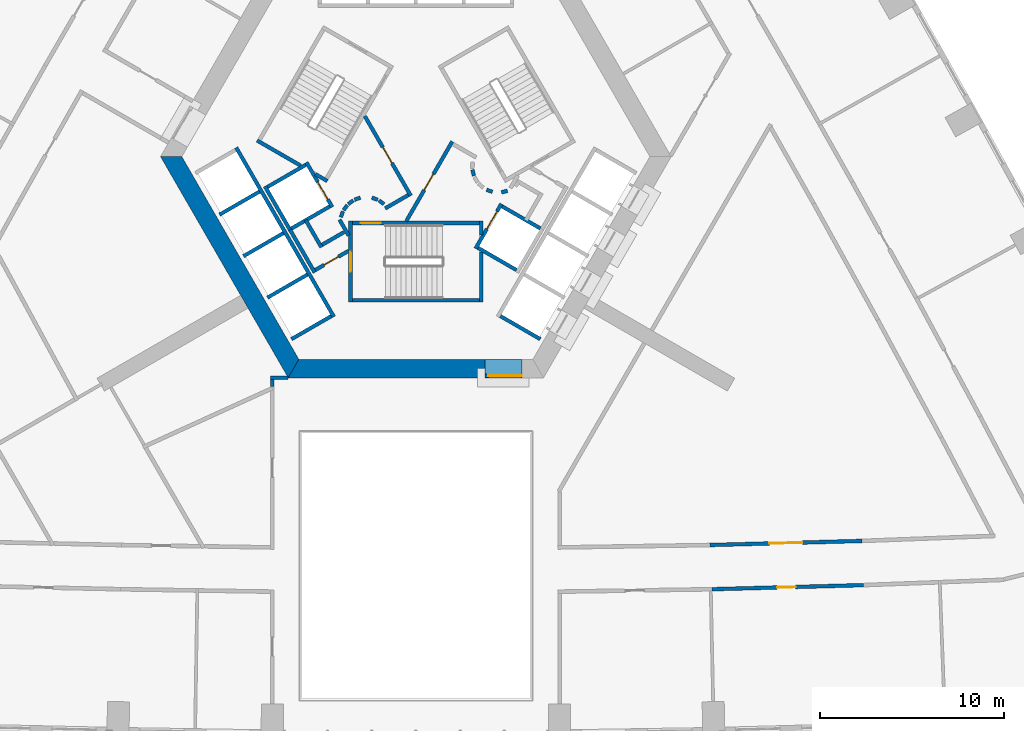
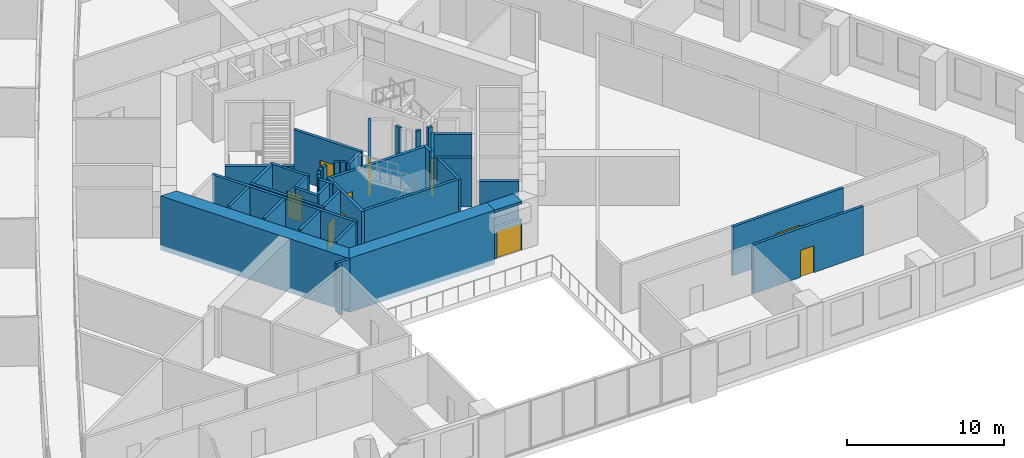
# One storey, part 6 of 15: 45 walls, 10 doors, 10 openings.
"""IFC4 building model written with IfcOpenShell, lengths in metres."""

from ifc_helpers import new_model, si_unit, direction, frame, frame_2d, origin, place, context, subcontext, project, spatial, polyline, rectangle, outline, extrude, material, layer, layer_set, type_object, element, fill, save


model = new_model("IFC4")

# Units and contexts
model_context = context("Model", 3, precision=1e-05, world=origin(), true_north=direction((0.0, 1.0)))
body_context = subcontext(model_context, "Body", "Model", "MODEL_VIEW")
ifc_project = project(units=[si_unit("LENGTHUNIT", "METRE"), si_unit("AREAUNIT", "SQUARE_METRE"), si_unit("VOLUMEUNIT", "CUBIC_METRE"), si_unit("PLANEANGLEUNIT", "RADIAN"), si_unit("MASSUNIT", "GRAM", prefix="KILO")], contexts=[model_context])

# Site, building, storey
site_placement = place(None, origin())
site = spatial("IfcSite", under=ifc_project, at=site_placement, CompositionType="ELEMENT")
building_placement = place(site_placement, origin())
building = spatial("IfcBuilding", under=site, at=building_placement, Name="Entoto Arch Interchange Tower", CompositionType="ELEMENT")
storey_placement = place(building_placement, frame((0.0, 0.0, 56.0)))
storey = spatial("IfcBuildingStorey", under=building, at=storey_placement, Name="L11", CompositionType="ELEMENT", Elevation=56.0)

# Wall, opening, door
ifc_material_1 = material(Name="Reinforced concrete C40/50", Category="concrete")
ifc_layer_1 = layer(ifc_material_1, 0.199951171875)
ifc_layer_set_1 = layer_set([ifc_layer_1], Name="Reinforced concrete C40/50")
wall_type_1 = type_object("IfcWallType", Name="CORE GAP INFILL WALL", PredefinedType="PARTITIONING", material=ifc_layer_set_1)
wall_1_placement = place(storey_placement, frame((3.75, -9.39990234375, 0.0), z_axis=(0.0, 0.0, 1.0), x_axis=(1.0, 0.0, 0.0)))
wall_1 = element("IfcWall", 1, at=wall_1_placement, inside=storey, type_object=wall_type_1, Name="wall:L11:gap1", PredefinedType="PARTITIONING", context=body_context, shape_type="SweptSolid", body=[
    extrude(rectangle(XDim=2.0, YDim=0.199951171875, at=frame_2d((1.0, 0.0))), origin(), (0.0, 0.0, 1.0), 2.39990234375),
])
opening_1_placement = place(wall_1_placement, frame((0.18994140625, 0.0, 0.0)))
opening_1 = element("IfcOpeningElement", 2, at=opening_1_placement, cuts=wall_1, Name="Opening L11-D91", PredefinedType="OPENING", context=body_context, shape_type="SweptSolid", body=[
    extrude(rectangle(XDim=1.800048828125, YDim=2.10009765625, at=frame_2d((0.89990234375, 1.050048828125))), frame((0.0, 0.10986328125, 0.0), z_axis=(0.0, -1.0, 0.0), x_axis=(1.0, 0.0, 0.0)), (0.0, 0.0, 1.0), 0.219970703125),
])
ifc_material_2 = material(Name="Fire-rated Steel S235 door and frame", Category="steel")
door_type_1 = type_object("IfcDoorType", Name="DOOR FD-18 1800x2100", OperationType="DOUBLE_DOOR_SINGLE_SWING", PredefinedType="DOOR", material=ifc_material_2)
door_1_placement = place(opening_1_placement, origin())
door_1 = element("IfcDoor", 3, at=door_1_placement, inside=storey, type_object=door_type_1, Name="door:L11:gap1", OperationType="DOUBLE_DOOR_SINGLE_SWING", OverallHeight=2.10009765625, OverallWidth=1.800048828125, PredefinedType="DOOR", context=body_context, shape_type="SweptSolid", body=[
    extrude(rectangle(XDim=1.800048828125, YDim=2.10009765625, at=frame_2d((0.89990234375, 1.050048828125))), frame((0.0, 0.02490234375, 0.0), z_axis=(0.0, -1.0, 0.0), x_axis=(1.0, 0.0, 0.0)), (0.0, 0.0, 1.0), 0.050048828125),
])
fill(opening_1, door_1)

# Walls
ifc_material_3 = material(Name="Concrete C60/75", Category="concrete")
ifc_layer_2 = layer(ifc_material_3, 1.0)
ifc_layer_set_2 = layer_set([ifc_layer_2], Name="Concrete C60/75")
wall_type_2 = type_object("IfcWallType", Name="Core wall 1000 C60/75", PredefinedType="SHEAR", material=ifc_layer_set_2)
wall_2_placement = place(storey_placement, frame((0.0, 0.0, -0.39990234375)))
element("IfcWall", 4, at=wall_2_placement, inside=storey, type_object=wall_type_2, Name="Core wall SW L11", PredefinedType="SHEAR", context=body_context, shape_type="SweptSolid", body=[
    extrude(outline(polyline([(-13.85595703125, 2.5), (-6.927978515625, -9.5), (-6.35107421875, -8.5), (-12.701904296875, 2.5), (-13.85595703125, 2.5)])), origin(), (0.0, 0.0, 1.0), 4.199951171875),
])
wall_3_placement = place(storey_placement, frame((0.0, 0.0, -0.39990234375)))
element("IfcWall", 5, at=wall_3_placement, inside=storey, type_object=wall_type_2, Name="Core wall S L11", PredefinedType="SHEAR", context=body_context, shape_type="SweptSolid", body=[
    extrude(outline(polyline([(3.75, -9.5), (3.75, -8.5), (-6.35107421875, -8.5), (-6.927978515625, -9.5), (3.75, -9.5)])), origin(), (0.0, 0.0, 1.0), 4.199951171875),
])
wall_4_placement = place(storey_placement, frame((0.0, 0.0, 3.60009765625)))
element("IfcWall", 6, at=wall_4_placement, inside=storey, type_object=wall_type_2, Name="Core wall lintel S L11", PredefinedType="SHEAR", context=body_context, shape_type="SweptSolid", body=[
    extrude(outline(polyline([(5.75, -9.5), (5.75, -8.5), (3.75, -8.5), (3.75, -9.5), (5.75, -9.5)])), origin(), (0.0, 0.0, 1.0), 0.199951171875),
])

# Wall, opening, door
ifc_material_4 = material(Name="Concrete C40/50", Category="concrete")
ifc_layer_3 = layer(ifc_material_4, 0.199951171875)
ifc_layer_set_3 = layer_set([ifc_layer_3], Name="Concrete C40/50")
wall_type_3 = type_object("IfcWallType", Name="LIFT SHAFT WALL 200", PredefinedType="STANDARD", material=ifc_layer_set_3)
wall_5_placement = place(storey_placement, frame((-5.93994140625, 2.18798828125, 0.0), z_axis=(0.0, 0.0, 1.0), x_axis=(0.49994636267, -0.866056369097, 0.0)))
wall_5 = element("IfcWall", 7, at=wall_5_placement, inside=storey, type_object=wall_type_3, Name="Shaft wall SW1 front", PredefinedType="STANDARD", context=body_context, shape_type="SweptSolid", body=[
    extrude(rectangle(XDim=2.800048828125, YDim=0.199951171875, at=frame_2d((1.39990234375, 0.0))), origin(), (0.0, 0.0, 1.0), 3.800048828125),
])
opening_2_placement = place(wall_5_placement, frame((1.22509765625, 0.0, 0.0)))
opening_2 = element("IfcOpeningElement", 8, at=opening_2_placement, cuts=wall_5, Name="Opening LD-FF2-L11", PredefinedType="OPENING", context=body_context, shape_type="SweptSolid", body=[
    extrude(rectangle(XDim=1.10009765625, YDim=2.10009765625, at=frame_2d((0.550048828125, 1.050048828125))), frame((0.0, 0.10986328125, 0.0), z_axis=(0.0, -1.0, 0.0), x_axis=(1.0, 0.0, 0.0)), (0.0, 0.0, 1.0), 0.219970703125),
])
ifc_material_5 = material(Name="Stainless steel 1.4301 panels", Category="steel")
door_type_2 = type_object("IfcDoorType", Name="LIFT LANDING DOOR LD1 1100x2100", OperationType="SLIDING_TO_LEFT", PredefinedType="DOOR", material=ifc_material_5)
door_2_placement = place(opening_2_placement, origin())
door_2 = element("IfcDoor", 9, at=door_2_placement, inside=storey, type_object=door_type_2, Name="Lift landing door FF2 L11", OperationType="SLIDING_TO_LEFT", OverallHeight=2.10009765625, OverallWidth=1.10009765625, PredefinedType="DOOR", context=body_context, shape_type="SweptSolid", body=[
    extrude(rectangle(XDim=1.10009765625, YDim=2.10009765625, at=frame_2d((0.550048828125, 1.050048828125))), frame((0.0, 0.02490234375, 0.0), z_axis=(0.0, -1.0, 0.0), x_axis=(1.0, 0.0, 0.0)), (0.0, 0.0, 1.0), 0.050048828125),
])
fill(opening_2, door_2)

# Walls
wall_6_placement = place(storey_placement, frame((-8.19189453125, 0.887939453125, 0.0), z_axis=(0.0, 0.0, 1.0), x_axis=(0.49994636267, -0.866056369097, 0.0)))
element("IfcWall", 10, at=wall_6_placement, inside=storey, type_object=wall_type_3, Name="Shaft wall SW1 back", PredefinedType="STANDARD", context=body_context, shape_type="SweptSolid", body=[
    extrude(rectangle(XDim=2.800048828125, YDim=0.199951171875, at=frame_2d((1.39990234375, 0.0))), origin(), (0.0, 0.0, 1.0), 3.800048828125),
])
for number, where, z_axis, x_axis, name in (
    (11, (-5.97705078125, 2.052001953125, 0.0), (0.0, 0.0, 1.0), (-0.865973769406, -0.500089422704, 0.0), "Shaft wall SW1 cross 1"),
    (12, (-4.677001953125, -0.199951171875, 0.0), (0.0, 0.0, 1.0), (-0.865973769406, -0.500089422704, 0.0), "Shaft wall SW1 cross 2"),
):
    element("IfcWall", number, at=place(storey_placement, frame(where, z_axis=z_axis, x_axis=x_axis)), inside=storey, type_object=wall_type_3, Name=name, PredefinedType="STANDARD", context=body_context, shape_type="SweptSolid", body=[
        extrude(rectangle(XDim=2.3994140625, YDim=0.199951171875, at=frame_2d((1.19970703125, 0.0))), origin(), (0.0, 0.0, 1.0), 3.800048828125),
    ])
wall_7_placement = place(storey_placement, frame((-9.7509765625, 2.989990234375, 0.0), z_axis=(0.0, 0.0, 1.0), x_axis=(0.50000090737, -0.866024879913, 0.0)))
element("IfcWall", 13, at=wall_7_placement, inside=storey, type_object=wall_type_3, Name="Shaft wall SW3 front", PredefinedType="STANDARD", context=body_context, shape_type="SweptSolid", body=[
    extrude(rectangle(XDim=10.60009765625, YDim=0.199951171875, at=frame_2d((5.300048828125, 0.0))), origin(), (0.0, 0.0, 1.0), 3.800048828125),
])
for number, where, z_axis, x_axis, name in (
    (14, (-8.488037109375, 0.60205078125, 0.0), (0.0, 0.0, 1.0), (-0.866022959057, -0.500004234368, 0.0), "Shaft wall SW3 cross 2"),
    (15, (-7.18798828125, -1.64990234375, 0.0), (0.0, 0.0, 1.0), (-0.866022959057, -0.500004234368, 0.0), "Shaft wall SW3 cross 3"),
    (16, (-5.887939453125, -3.902099609375, 0.0), (0.0, 0.0, 1.0), (-0.866022959057, -0.500004234368, 0.0), "Shaft wall SW3 cross 4"),
    (17, (-4.587890625, -6.153076171875, 0.0), (0.0, 0.0, 1.0), (-0.866022959057, -0.500004234368, 0.0), "Shaft wall SW3 cross 5"),
):
    element("IfcWall", number, at=place(storey_placement, frame(where, z_axis=z_axis, x_axis=x_axis)), inside=storey, type_object=wall_type_3, Name=name, PredefinedType="STANDARD", context=body_context, shape_type="SweptSolid", body=[
        extrude(rectangle(XDim=2.5, YDim=0.199951171875, at=frame_2d((1.25, 0.0))), origin(), (0.0, 0.0, 1.0), 3.800048828125),
    ])

# Wall, opening, door
wall_8_placement = place(storey_placement, frame((3.239990234375, -2.488037109375, 0.0), z_axis=(0.0, 0.0, 1.0), x_axis=(0.49994636267, 0.866056369097, 0.0)))
wall_8 = element("IfcWall", 18, at=wall_8_placement, inside=storey, type_object=wall_type_3, Name="Shaft wall SE1 front", PredefinedType="STANDARD", context=body_context, shape_type="SweptSolid", body=[
    extrude(rectangle(XDim=2.800048828125, YDim=0.199951171875, at=frame_2d((1.39990234375, 0.0))), origin(), (0.0, 0.0, 1.0), 3.800048828125),
])
opening_3_placement = place(wall_8_placement, frame((1.22509765625, 0.0, 0.0)))
opening_3 = element("IfcOpeningElement", 19, at=opening_3_placement, cuts=wall_8, Name="Opening LD-FF1-L11", PredefinedType="OPENING", context=body_context, shape_type="SweptSolid", body=[
    extrude(rectangle(XDim=1.10009765625, YDim=2.10009765625, at=frame_2d((0.550048828125, 1.050048828125))), frame((0.0, 0.10986328125, 0.0), z_axis=(0.0, -1.0, 0.0), x_axis=(1.0, 0.0, 0.0)), (0.0, 0.0, 1.0), 0.219970703125),
])
door_3_placement = place(opening_3_placement, origin())
door_3 = element("IfcDoor", 20, at=door_3_placement, inside=storey, type_object=door_type_2, Name="Lift landing door FF1 L11", OperationType="SLIDING_TO_LEFT", OverallHeight=2.10009765625, OverallWidth=1.10009765625, PredefinedType="DOOR", context=body_context, shape_type="SweptSolid", body=[
    extrude(rectangle(XDim=1.10009765625, YDim=2.10009765625, at=frame_2d((0.550048828125, 1.050048828125))), frame((0.0, 0.02490234375, 0.0), z_axis=(0.0, -1.0, 0.0), x_axis=(1.0, 0.0, 0.0)), (0.0, 0.0, 1.0), 0.050048828125),
])
fill(opening_3, door_3)

# Walls
wall_9_placement = place(storey_placement, frame((3.376953125, -2.451904296875, 0.0), z_axis=(0.0, 0.0, 1.0), x_axis=(0.865955154139, -0.50012165622, 0.0)))
element("IfcWall", 21, at=wall_9_placement, inside=storey, type_object=wall_type_3, Name="Shaft wall SE1 cross 1", PredefinedType="STANDARD", context=body_context, shape_type="SweptSolid", body=[
    extrude(rectangle(XDim=2.39990234375, YDim=0.199951171875, at=frame_2d((1.199951171875, 0.0))), origin(), (0.0, 0.0, 1.0), 3.800048828125),
])
wall_10_placement = place(storey_placement, frame((4.677001953125, -0.199951171875, 0.0), z_axis=(0.0, 0.0, 1.0), x_axis=(0.865973769406, -0.500089422704, 0.0)))
element("IfcWall", 22, at=wall_10_placement, inside=storey, type_object=wall_type_3, Name="Shaft wall SE1 cross 2", PredefinedType="STANDARD", context=body_context, shape_type="SweptSolid", body=[
    extrude(rectangle(XDim=2.3994140625, YDim=0.199951171875, at=frame_2d((1.19970703125, 0.0))), origin(), (0.0, 0.0, 1.0), 3.800048828125),
])
wall_11_placement = place(storey_placement, frame((4.587890625, -6.153076171875, 0.0), z_axis=(0.0, 0.0, 1.0), x_axis=(0.866022959057, -0.500004234368, 0.0)))
element("IfcWall", 23, at=wall_11_placement, inside=storey, type_object=wall_type_3, Name="Shaft wall SE3 cross 1", PredefinedType="STANDARD", context=body_context, shape_type="SweptSolid", body=[
    extrude(rectangle(XDim=2.5, YDim=0.199951171875, at=frame_2d((1.25, 0.0))), origin(), (0.0, 0.0, 1.0), 3.800048828125),
])

# Wall, opening, door
ifc_material_6 = material(Name="Gypsum board partition on steel studs", Category="steel")
ifc_layer_4 = layer(ifc_material_6, 0.199951171875)
ifc_layer_set_4 = layer_set([ifc_layer_4], Name="Gypsum board partition on steel studs")
wall_type_4 = type_object("IfcWallType", Name="PARTITION 200", PredefinedType="PARTITIONING", material=ifc_layer_set_4)
wall_12_placement = place(storey_placement, frame((15.950927734375, -18.5791015625, 0.0), z_axis=(0.0, 0.0, 1.0), x_axis=(0.999635034593, 0.027014766613, 0.0)))
wall_12 = element("IfcWall", 24, at=wall_12_placement, inside=storey, type_object=wall_type_4, Name="wall:L11:p019", PredefinedType="PARTITIONING", context=body_context, shape_type="SweptSolid", body=[
    extrude(rectangle(XDim=8.260009765625, YDim=0.199951171875, at=frame_2d((4.1298828125, 0.0))), origin(), (0.0, 0.0, 1.0), 3.800048828125),
])
opening_4_placement = place(wall_12_placement, frame((3.22998046875, 0.0, 0.0)))
opening_4 = element("IfcOpeningElement", 25, at=opening_4_placement, cuts=wall_12, Name="Opening L11-D16", PredefinedType="OPENING", context=body_context, shape_type="SweptSolid", body=[
    extrude(rectangle(XDim=1.800048828125, YDim=2.10009765625, at=frame_2d((0.89990234375, 1.050048828125))), frame((0.0, 0.10986328125, 0.0), z_axis=(0.0, -1.0, 0.0), x_axis=(1.0, 0.0, 0.0)), (0.0, 0.0, 1.0), 0.219970703125),
])
ifc_material_7 = material(Name="Timber door leaf in Steel S235 frame", Category="steel")
door_type_3 = type_object("IfcDoorType", Name="DOOR DD-18 1800x2100", OperationType="DOUBLE_DOOR_SINGLE_SWING", PredefinedType="DOOR", material=ifc_material_7)
door_4_placement = place(opening_4_placement, origin())
door_4 = element("IfcDoor", 26, at=door_4_placement, inside=storey, type_object=door_type_3, Name="door:L11:16", OperationType="DOUBLE_DOOR_SINGLE_SWING", OverallHeight=2.10009765625, OverallWidth=1.800048828125, PredefinedType="DOOR", context=body_context, shape_type="SweptSolid", body=[
    extrude(rectangle(XDim=1.800048828125, YDim=2.10009765625, at=frame_2d((0.89990234375, 1.050048828125))), frame((0.0, 0.02490234375, 0.0), z_axis=(0.0, -1.0, 0.0), x_axis=(1.0, 0.0, 0.0)), (0.0, 0.0, 1.0), 0.050048828125),
])
fill(opening_4, door_4)

wall_13_placement = place(storey_placement, frame((24.285888671875, -20.7548828125, 0.0), z_axis=(0.0, 0.0, 1.0), x_axis=(-0.999633883909, -0.027057312146, 0.0)))
wall_13 = element("IfcWall", 27, at=wall_13_placement, inside=storey, type_object=wall_type_4, Name="wall:L11:p039", PredefinedType="PARTITIONING", context=body_context, shape_type="SweptSolid", body=[
    extrude(rectangle(XDim=8.2109375, YDim=0.199951171875, at=frame_2d((4.10546875, 0.0))), origin(), (0.0, 0.0, 1.0), 3.800048828125),
])
opening_5_placement = place(wall_13_placement, frame((3.680908203125, 0.0, 0.0)))
opening_5 = element("IfcOpeningElement", 28, at=opening_5_placement, cuts=wall_13, Name="Opening L11-D02", PredefinedType="OPENING", context=body_context, shape_type="SweptSolid", body=[
    extrude(rectangle(XDim=1.0, YDim=2.10009765625, at=frame_2d((0.5, 1.050048828125))), frame((0.0, 0.10986328125, 0.0), z_axis=(0.0, -1.0, 0.0), x_axis=(1.0, 0.0, 0.0)), (0.0, 0.0, 1.0), 0.219970703125),
])
door_type_4 = type_object("IfcDoorType", Name="DOOR DS-10 1000x2100", OperationType="SINGLE_SWING_LEFT", PredefinedType="DOOR", material=ifc_material_7)
door_5_placement = place(opening_5_placement, origin())
door_5 = element("IfcDoor", 29, at=door_5_placement, inside=storey, type_object=door_type_4, Name="door:L11:02", OperationType="SINGLE_SWING_RIGHT", OverallHeight=2.10009765625, OverallWidth=1.0, PredefinedType="DOOR", context=body_context, shape_type="SweptSolid", body=[
    extrude(rectangle(XDim=1.0, YDim=2.10009765625, at=frame_2d((0.5, 1.050048828125))), frame((0.0, 0.02490234375, 0.0), z_axis=(0.0, -1.0, 0.0), x_axis=(1.0, 0.0, 0.0)), (0.0, 0.0, 1.0), 0.050048828125),
])
fill(opening_5, door_5)

# Walls
wall_14_placement = place(storey_placement, frame((-3.89990234375, -1.59912109375, 0.0), z_axis=(0.0, 0.0, 1.0), x_axis=(-0.865969445389, -0.500096910261, 0.0)))
element("IfcWall", 30, at=wall_14_placement, inside=storey, type_object=wall_type_4, Name="wall:L11:p085", PredefinedType="PARTITIONING", context=body_context, shape_type="SweptSolid", body=[
    extrude(rectangle(XDim=1.373291015625, YDim=0.199951171875, at=frame_2d((0.6865234375, 0.0))), origin(), (0.0, 0.0, 1.0), 3.800048828125),
])
wall_15_placement = place(storey_placement, frame((-5.1259765625, -2.422119140625, 0.0), z_axis=(0.0, 0.0, 1.0), x_axis=(-0.500062241894, 0.865989465428, 0.0)))
element("IfcWall", 31, at=wall_15_placement, inside=storey, type_object=wall_type_4, Name="wall:L11:p086", PredefinedType="PARTITIONING", context=body_context, shape_type="SweptSolid", body=[
    extrude(rectangle(XDim=1.699951171875, YDim=0.199951171875, at=frame_2d((0.85009765625, 0.0))), origin(), (0.0, 0.0, 1.0), 3.800048828125),
])

# Wall, opening, door
wall_16_placement = place(storey_placement, frame((-3.64990234375, -2.610107421875, 0.0), z_axis=(0.0, 0.0, 1.0), x_axis=(-0.866072462134, -0.499918483688, 0.0)))
wall_16 = element("IfcWall", 32, at=wall_16_placement, inside=storey, type_object=wall_type_4, Name="wall:L11:p087", PredefinedType="PARTITIONING", context=body_context, shape_type="SweptSolid", body=[
    extrude(rectangle(XDim=2.084228515625, YDim=0.199951171875, at=frame_2d((1.0419921875, 0.0))), origin(), (0.0, 0.0, 1.0), 3.800048828125),
])
opening_6_placement = place(wall_16_placement, frame((0.64208984375, 0.0, 0.0)))
opening_6 = element("IfcOpeningElement", 33, at=opening_6_placement, cuts=wall_16, Name="Opening L11-D34", PredefinedType="OPENING", context=body_context, shape_type="SweptSolid", body=[
    extrude(rectangle(XDim=0.89990234375, YDim=2.10009765625, at=frame_2d((0.449951171875, 1.050048828125))), frame((0.0, 0.10986328125, 0.0), z_axis=(0.0, -1.0, 0.0), x_axis=(1.0, 0.0, 0.0)), (0.0, 0.0, 1.0), 0.219970703125),
])
door_type_5 = type_object("IfcDoorType", Name="DOOR DS-09 900x2100", OperationType="SINGLE_SWING_LEFT", PredefinedType="DOOR", material=ifc_material_7)
door_6_placement = place(opening_6_placement, origin())
door_6 = element("IfcDoor", 34, at=door_6_placement, inside=storey, type_object=door_type_5, Name="door:L11:34", OperationType="SINGLE_SWING_LEFT", OverallHeight=2.10009765625, OverallWidth=0.89990234375, PredefinedType="DOOR", context=body_context, shape_type="SweptSolid", body=[
    extrude(rectangle(XDim=0.89990234375, YDim=2.10009765625, at=frame_2d((0.449951171875, 1.050048828125))), frame((0.0, 0.02490234375, 0.0), z_axis=(0.0, -1.0, 0.0), x_axis=(1.0, 0.0, 0.0)), (0.0, 0.0, 1.0), 0.050048828125),
])
fill(opening_6, door_6)

# Walls
wall_17_placement = place(storey_placement, frame((-5.491943359375, -3.7880859375, 0.0), z_axis=(0.0, 0.0, 1.0), x_axis=(-0.500008949224, 0.866020236886, 0.0)))
element("IfcWall", 35, at=wall_17_placement, inside=storey, type_object=wall_type_4, Name="wall:L11:p088", PredefinedType="PARTITIONING", context=body_context, shape_type="SweptSolid", body=[
    extrude(rectangle(XDim=2.68017578125, YDim=0.199951171875, at=frame_2d((1.340087890625, 0.0))), origin(), (0.0, 0.0, 1.0), 3.800048828125),
])
wall_18_placement = place(storey_placement, frame((-4.14501953125, -0.919921875, 0.0), z_axis=(0.0, 0.0, 1.0), x_axis=(0.499743786207, -0.866173278362, 0.0)))
element("IfcWall", 36, at=wall_18_placement, inside=storey, type_object=wall_type_4, Name="wall:L11:p089", PredefinedType="PARTITIONING", context=body_context, shape_type="SweptSolid", body=[
    extrude(rectangle(XDim=0.99072265625, YDim=0.199951171875, at=frame_2d((0.495361328125, 0.0))), origin(), (0.0, 0.0, 1.0), 3.800048828125),
])

# Wall, opening, door
wall_19_placement = place(storey_placement, frame((-0.52001953125, -1.0, 0.0), z_axis=(0.0, 0.0, 1.0), x_axis=(0.50011622646, 0.865958290007, 0.0)))
wall_19 = element("IfcWall", 37, at=wall_19_placement, inside=storey, type_object=wall_type_4, Name="wall:L11:p094", PredefinedType="PARTITIONING", context=body_context, shape_type="SweptSolid", body=[
    extrude(rectangle(XDim=4.990966796875, YDim=0.199951171875, at=frame_2d((2.49560546875, 0.0))), origin(), (0.0, 0.0, 1.0), 3.800048828125),
])
opening_7_placement = place(wall_19_placement, frame((1.945068359375, 0.0, 0.0)))
opening_7 = element("IfcOpeningElement", 38, at=opening_7_placement, cuts=wall_19, Name="Opening L11-D31", PredefinedType="OPENING", context=body_context, shape_type="SweptSolid", body=[
    extrude(rectangle(XDim=1.0, YDim=2.10009765625, at=frame_2d((0.5, 1.050048828125))), frame((0.0, 0.10986328125, 0.0), z_axis=(0.0, -1.0, 0.0), x_axis=(1.0, 0.0, 0.0)), (0.0, 0.0, 1.0), 0.219970703125),
])
door_type_6 = type_object("IfcDoorType", Name="DOOR FD-10 1000x2100", OperationType="SINGLE_SWING_LEFT", PredefinedType="DOOR", material=ifc_material_2)
door_7_placement = place(opening_7_placement, origin())
door_7 = element("IfcDoor", 39, at=door_7_placement, inside=storey, type_object=door_type_6, Name="door:L11:31", OperationType="SINGLE_SWING_LEFT", OverallHeight=2.10009765625, OverallWidth=1.0, PredefinedType="DOOR", context=body_context, shape_type="SweptSolid", body=[
    extrude(rectangle(XDim=1.0, YDim=2.10009765625, at=frame_2d((0.5, 1.050048828125))), frame((0.0, 0.02490234375, 0.0), z_axis=(0.0, -1.0, 0.0), x_axis=(1.0, 0.0, 0.0)), (0.0, 0.0, 1.0), 0.050048828125),
])
fill(opening_7, door_7)

# Walls
wall_20_placement = place(storey_placement, frame((3.070068359375, 1.785888671875, 0.0), z_axis=(0.0, 0.0, 1.0), x_axis=(0.242705583207, -0.970099994784, 0.0)))
element("IfcWall", 40, at=wall_20_placement, inside=storey, type_object=wall_type_4, Name="wall:L11:p097", PredefinedType="PARTITIONING", context=body_context, shape_type="SweptSolid", body=[
    extrude(rectangle(XDim=0.337890625, YDim=0.199951171875, at=frame_2d((0.1689453125, 0.0))), origin(), (0.0, 0.0, 1.0), 3.800048828125),
])
wall_21_placement = place(storey_placement, frame((3.837890625, 0.701904296875, 0.0), z_axis=(0.0, 0.0, 1.0), x_axis=(0.941035081519, -0.338308993895, 0.0)))
element("IfcWall", 41, at=wall_21_placement, inside=storey, type_object=wall_type_4, Name="wall:L11:p100", PredefinedType="PARTITIONING", context=body_context, shape_type="SweptSolid", body=[
    extrude(rectangle(XDim=0.3369140625, YDim=0.199951171875, at=frame_2d((0.16845703125, 0.0))), origin(), (0.0, 0.0, 1.0), 3.800048828125),
])
wall_22_placement = place(storey_placement, frame((4.64404296875, 0.56396484375, 0.0), z_axis=(0.0, 0.0, 1.0), x_axis=(0.969929076366, 0.243387729394, 0.0)))
element("IfcWall", 42, at=wall_22_placement, inside=storey, type_object=wall_type_4, Name="wall:L11:p101", PredefinedType="PARTITIONING", context=body_context, shape_type="SweptSolid", body=[
    extrude(rectangle(XDim=0.337158203125, YDim=0.199951171875, at=frame_2d((0.16845703125, 0.0))), origin(), (0.0, 0.0, 1.0), 3.800048828125),
])

# Wall, opening, door
wall_23_placement = place(storey_placement, frame((-2.77099609375, 4.699951171875, 0.0), z_axis=(0.0, 0.0, 1.0), x_axis=(0.499969479948, -0.866043023828, 0.0)))
wall_23 = element("IfcWall", 43, at=wall_23_placement, inside=storey, type_object=wall_type_4, Name="wall:L11:p102", PredefinedType="PARTITIONING", context=body_context, shape_type="SweptSolid", body=[
    extrude(rectangle(XDim=4.990478515625, YDim=0.199951171875, at=frame_2d((2.4951171875, 0.0))), origin(), (0.0, 0.0, 1.0), 3.800048828125),
])
opening_8_placement = place(wall_23_placement, frame((1.945068359375, 0.0, 0.0)))
opening_8 = element("IfcOpeningElement", 44, at=opening_8_placement, cuts=wall_23, Name="Opening L11-D32", PredefinedType="OPENING", context=body_context, shape_type="SweptSolid", body=[
    extrude(rectangle(XDim=1.0, YDim=2.10009765625, at=frame_2d((0.5, 1.050048828125))), frame((0.0, 0.10986328125, 0.0), z_axis=(0.0, -1.0, 0.0), x_axis=(1.0, 0.0, 0.0)), (0.0, 0.0, 1.0), 0.219970703125),
])
door_8_placement = place(opening_8_placement, origin())
door_8 = element("IfcDoor", 45, at=door_8_placement, inside=storey, type_object=door_type_6, Name="door:L11:32", OperationType="SINGLE_SWING_RIGHT", OverallHeight=2.10009765625, OverallWidth=1.0, PredefinedType="DOOR", context=body_context, shape_type="SweptSolid", body=[
    extrude(rectangle(XDim=1.0, YDim=2.10009765625, at=frame_2d((0.5, 1.050048828125))), frame((0.0, 0.02490234375, 0.0), z_axis=(0.0, -1.0, 0.0), x_axis=(1.0, 0.0, 0.0)), (0.0, 0.0, 1.0), 0.050048828125),
])
fill(opening_8, door_8)

# Walls
wall_24_placement = place(storey_placement, frame((-0.412109375, 0.4140625, 0.0), z_axis=(0.0, 0.0, 1.0), x_axis=(-0.866017369001, -0.500013916395, 0.0)))
element("IfcWall", 46, at=wall_24_placement, inside=storey, type_object=wall_type_4, Name="wall:L11:p103", PredefinedType="PARTITIONING", context=body_context, shape_type="SweptSolid", body=[
    extrude(rectangle(XDim=1.4501953125, YDim=0.199951171875, at=frame_2d((0.72509765625, 0.0))), origin(), (0.0, 0.0, 1.0), 3.800048828125),
])
wall_25_placement = place(storey_placement, frame((-1.73095703125, -0.076904296875, 0.0), z_axis=(0.0, 0.0, 1.0), x_axis=(-0.804311165252, 0.594208338422, 0.0)))
element("IfcWall", 47, at=wall_25_placement, inside=storey, type_object=wall_type_4, Name="wall:L11:p104", PredefinedType="PARTITIONING", context=body_context, shape_type="SweptSolid", body=[
    extrude(rectangle(XDim=0.338134765625, YDim=0.199951171875, at=frame_2d((0.1689453125, 0.0))), origin(), (0.0, 0.0, 1.0), 3.800048828125),
])
wall_26_placement = place(storey_placement, frame((-2.070068359375, 0.159912109375, 0.0), z_axis=(0.0, 0.0, 1.0), x_axis=(-0.942199461132, 0.335052496547, 0.0)))
element("IfcWall", 48, at=wall_26_placement, inside=storey, type_object=wall_type_4, Name="wall:L11:p105", PredefinedType="PARTITIONING", context=body_context, shape_type="SweptSolid", body=[
    extrude(rectangle(XDim=0.33740234375, YDim=0.199951171875, at=frame_2d((0.168701171875, 0.0))), origin(), (0.0, 0.0, 1.0), 3.800048828125),
])
wall_27_placement = place(storey_placement, frame((-3.011962890625, 0.27294921875, 0.0), z_axis=(0.0, 0.0, 1.0), x_axis=(-0.942280615813, -0.334824194261, 0.0)))
element("IfcWall", 49, at=wall_27_placement, inside=storey, type_object=wall_type_4, Name="wall:L11:p106", PredefinedType="PARTITIONING", context=body_context, shape_type="SweptSolid", body=[
    extrude(rectangle(XDim=0.337646484375, YDim=0.199951171875, at=frame_2d((0.1689453125, 0.0))), origin(), (0.0, 0.0, 1.0), 3.800048828125),
])
wall_28_placement = place(storey_placement, frame((-3.39697265625, 0.1240234375, 0.0), z_axis=(0.0, 0.0, 1.0), x_axis=(-0.804311165252, -0.594208338422, 0.0)))
element("IfcWall", 50, at=wall_28_placement, inside=storey, type_object=wall_type_4, Name="wall:L11:p107", PredefinedType="PARTITIONING", context=body_context, shape_type="SweptSolid", body=[
    extrude(rectangle(XDim=0.338134765625, YDim=0.199951171875, at=frame_2d((0.1689453125, 0.0))), origin(), (0.0, 0.0, 1.0), 3.800048828125),
])
wall_29_placement = place(storey_placement, frame((-3.722900390625, -0.131103515625, 0.0), z_axis=(0.0, 0.0, 1.0), x_axis=(-0.594675113454, -0.803966112121, 0.0)))
element("IfcWall", 51, at=wall_29_placement, inside=storey, type_object=wall_type_4, Name="wall:L11:p108", PredefinedType="PARTITIONING", context=body_context, shape_type="SweptSolid", body=[
    extrude(rectangle(XDim=0.33837890625, YDim=0.199951171875, at=frame_2d((0.169189453125, 0.0))), origin(), (0.0, 0.0, 1.0), 3.800048828125),
])
wall_30_placement = place(storey_placement, frame((-3.9599609375, -0.469970703125, 0.0), z_axis=(0.0, 0.0, 1.0), x_axis=(-0.334824194261, -0.942280615813, 0.0)))
element("IfcWall", 52, at=wall_30_placement, inside=storey, type_object=wall_type_4, Name="wall:L11:p109", PredefinedType="PARTITIONING", context=body_context, shape_type="SweptSolid", body=[
    extrude(rectangle(XDim=0.337646484375, YDim=0.199951171875, at=frame_2d((0.1689453125, 0.0))), origin(), (0.0, 0.0, 1.0), 3.800048828125),
])
wall_31_placement = place(storey_placement, frame((-7.800048828125, -9.971923828125, 0.0), z_axis=(0.0, 0.0, 1.0), x_axis=(0.0, 1.0, 0.0)))
element("IfcWall", 53, at=wall_31_placement, inside=storey, type_object=wall_type_4, Name="wall:L11:p111", PredefinedType="PARTITIONING", context=body_context, shape_type="SweptSolid", body=[
    extrude(rectangle(XDim=0.372802734375, YDim=0.199951171875, at=frame_2d((0.1865234375, 0.0))), origin(), (0.0, 0.0, 1.0), 3.800048828125),
])
wall_32_placement = place(storey_placement, frame((-7.89990234375, -9.4990234375, 0.0), z_axis=(0.0, 0.0, 1.0), x_axis=(1.0, 0.0, 0.0)))
element("IfcWall", 54, at=wall_32_placement, inside=storey, type_object=wall_type_4, Name="wall:L11:p112", PredefinedType="PARTITIONING", context=body_context, shape_type="SweptSolid", body=[
    extrude(rectangle(XDim=0.970947265625, YDim=0.199951171875, at=frame_2d((0.4853515625, 0.0))), origin(), (0.0, 0.0, 1.0), 3.800048828125),
])

# Wall, opening, door
ifc_layer_5 = layer(ifc_material_4, 0.199951171875)
ifc_layer_set_5 = layer_set([ifc_layer_5], Name="Concrete C40/50")
wall_type_5 = type_object("IfcWallType", Name="STAIR ENCLOSURE WALL 200", PredefinedType="STANDARD", material=ifc_layer_set_5)
wall_33_placement = place(storey_placement, frame((-3.550048828125, -1.0, 0.0), z_axis=(0.0, 0.0, 1.0), x_axis=(0.0, -1.0, 0.0)))
wall_33 = element("IfcWall", 55, at=wall_33_placement, inside=storey, type_object=wall_type_5, Name="Stair wall ST-S near", PredefinedType="STANDARD", context=body_context, shape_type="SweptSolid", body=[
    extrude(rectangle(XDim=4.39990234375, YDim=0.199951171875, at=frame_2d((2.199951171875, 0.0))), origin(), (0.0, 0.0, 1.0), 3.800048828125),
])
opening_9_placement = place(wall_33_placement, frame((1.64990234375, 0.0, 0.0)))
opening_9 = element("IfcOpeningElement", 56, at=opening_9_placement, cuts=wall_33, Name="Opening SD-ST-S-L11-E", PredefinedType="OPENING", context=body_context, shape_type="SweptSolid", body=[
    extrude(rectangle(XDim=1.10009765625, YDim=2.199951171875, at=frame_2d((0.550048828125, 1.10009765625))), frame((0.0, 0.10986328125, 0.0), z_axis=(0.0, -1.0, 0.0), x_axis=(1.0, 0.0, 0.0)), (0.0, 0.0, 1.0), 0.219970703125),
])
ifc_material_8 = material(Name="Steel S235", Category="steel")
door_type_7 = type_object("IfcDoorType", Name="STAIR DOOR SD1 1100x2200", OperationType="SINGLE_SWING_LEFT", PredefinedType="DOOR", material=ifc_material_8)
door_9_placement = place(opening_9_placement, origin())
door_9 = element("IfcDoor", 57, at=door_9_placement, inside=storey, type_object=door_type_7, Name="Stair door ST-S L11 end", OperationType="SINGLE_SWING_LEFT", OverallHeight=2.199951171875, OverallWidth=1.10009765625, PredefinedType="DOOR", context=body_context, shape_type="SweptSolid", body=[
    extrude(rectangle(XDim=1.10009765625, YDim=2.199951171875, at=frame_2d((0.550048828125, 1.10009765625))), frame((0.0, 0.02490234375, 0.0), z_axis=(0.0, -1.0, 0.0), x_axis=(1.0, 0.0, 0.0)), (0.0, 0.0, 1.0), 0.050048828125),
])
fill(opening_9, door_9)

# Walls
wall_34_placement = place(storey_placement, frame((3.550048828125, -2.6669921875, 0.0), z_axis=(0.0, 0.0, 1.0), x_axis=(0.0, -1.0, 0.0)))
element("IfcWall", 58, at=wall_34_placement, inside=storey, type_object=wall_type_5, Name="Stair wall ST-S far", PredefinedType="STANDARD", context=body_context, shape_type="SweptSolid", body=[
    extrude(rectangle(XDim=2.73291015625, YDim=0.199951171875, at=frame_2d((1.366455078125, 0.0))), origin(), (0.0, 0.0, 1.0), 3.800048828125),
])
wall_35_placement = place(storey_placement, frame((3.550048828125, -1.0, 0.0), z_axis=(0.0, 0.0, 1.0), x_axis=(0.0, -1.0, 0.0)))
element("IfcWall", 59, at=wall_35_placement, inside=storey, type_object=wall_type_5, Name="Stair wall ST-S far return", PredefinedType="STANDARD", context=body_context, shape_type="SweptSolid", body=[
    extrude(rectangle(XDim=0.7509765625, YDim=0.199951171875, at=frame_2d((0.37548828125, 0.0))), origin(), (0.0, 0.0, 1.0), 3.800048828125),
])

# Wall, opening, door
wall_36_placement = place(storey_placement, frame((-3.449951171875, -1.10009765625, 0.0), z_axis=(0.0, 0.0, 1.0), x_axis=(1.0, 0.0, 0.0)))
wall_36 = element("IfcWall", 60, at=wall_36_placement, inside=storey, type_object=wall_type_5, Name="Stair wall ST-S hall", PredefinedType="STANDARD", context=body_context, shape_type="SweptSolid", body=[
    extrude(rectangle(XDim=6.89990234375, YDim=0.199951171875, at=frame_2d((3.449951171875, 0.0))), origin(), (0.0, 0.0, 1.0), 3.800048828125),
])
opening_10_placement = place(wall_36_placement, frame((0.449951171875, 0.0, 0.0)))
opening_10 = element("IfcOpeningElement", 61, at=opening_10_placement, cuts=wall_36, Name="Opening SD-ST-S-L11", PredefinedType="OPENING", context=body_context, shape_type="SweptSolid", body=[
    extrude(rectangle(XDim=1.10009765625, YDim=2.199951171875, at=frame_2d((0.550048828125, 1.10009765625))), frame((0.0, 0.10986328125, 0.0), z_axis=(0.0, -1.0, 0.0), x_axis=(1.0, 0.0, 0.0)), (0.0, 0.0, 1.0), 0.219970703125),
])
door_10_placement = place(opening_10_placement, origin())
door_10 = element("IfcDoor", 62, at=door_10_placement, inside=storey, type_object=door_type_7, Name="Stair door ST-S L11", OperationType="SINGLE_SWING_LEFT", OverallHeight=2.199951171875, OverallWidth=1.10009765625, PredefinedType="DOOR", context=body_context, shape_type="SweptSolid", body=[
    extrude(rectangle(XDim=1.10009765625, YDim=2.199951171875, at=frame_2d((0.550048828125, 1.10009765625))), frame((0.0, 0.02490234375, 0.0), z_axis=(0.0, -1.0, 0.0), x_axis=(1.0, 0.0, 0.0)), (0.0, 0.0, 1.0), 0.050048828125),
])
fill(opening_10, door_10)

# Walls
wall_37_placement = place(storey_placement, frame((-3.449951171875, -5.300048828125, 0.0), z_axis=(0.0, 0.0, 1.0), x_axis=(1.0, 0.0, 0.0)))
element("IfcWall", 63, at=wall_37_placement, inside=storey, type_object=wall_type_5, Name="Stair wall ST-S back", PredefinedType="STANDARD", context=body_context, shape_type="SweptSolid", body=[
    extrude(rectangle(XDim=6.89990234375, YDim=0.199951171875, at=frame_2d((3.449951171875, 0.0))), origin(), (0.0, 0.0, 1.0), 3.800048828125),
])
wall_38_placement = place(storey_placement, frame((-6.25, 2.010009765625, 0.0), z_axis=(0.0, 0.0, 1.0), x_axis=(-0.86611865017, 0.499838457731, 0.0)))
element("IfcWall", 64, at=wall_38_placement, inside=storey, type_object=wall_type_5, Name="Stair wall ST-NW far", PredefinedType="STANDARD", context=body_context, shape_type="SweptSolid", body=[
    extrude(rectangle(XDim=2.73291015625, YDim=0.199951171875, at=frame_2d((1.366455078125, 0.0))), origin(), (0.0, 0.0, 1.0), 3.800048828125),
])
wall_39_placement = place(storey_placement, frame((-4.805908203125, 1.176025390625, 0.0), z_axis=(0.0, 0.0, 1.0), x_axis=(-0.866558586415, 0.499075361355, 0.0)))
element("IfcWall", 65, at=wall_39_placement, inside=storey, type_object=wall_type_5, Name="Stair wall ST-NW far return", PredefinedType="STANDARD", context=body_context, shape_type="SweptSolid", body=[
    extrude(rectangle(XDim=0.75146484375, YDim=0.199951171875, at=frame_2d((0.375732421875, 0.0))), origin(), (0.0, 0.0, 1.0), 3.800048828125),
])

save(model, "model.ifc")
